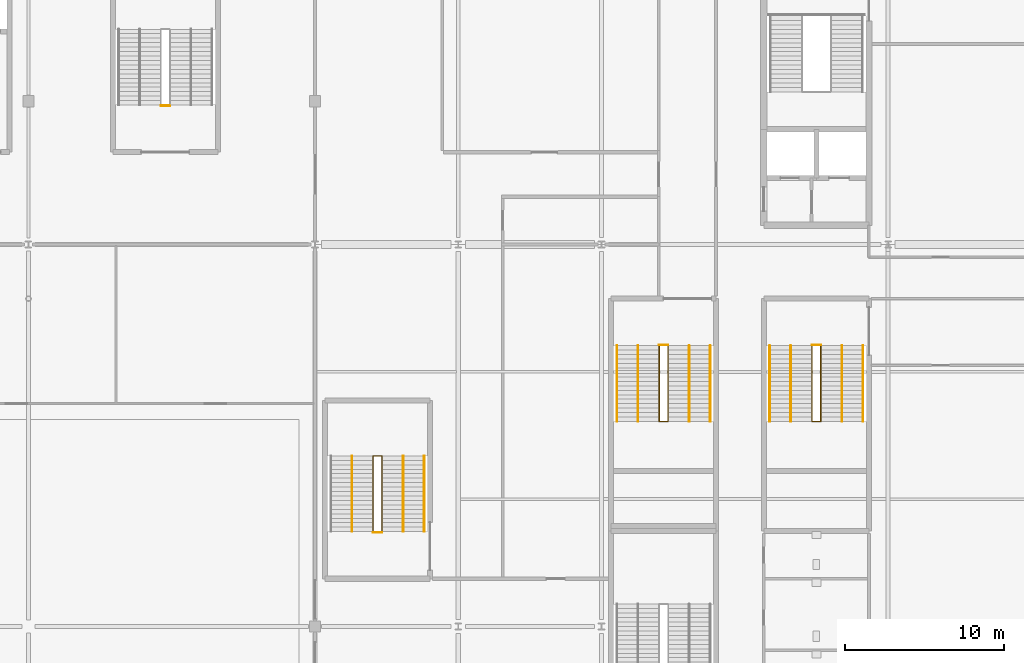
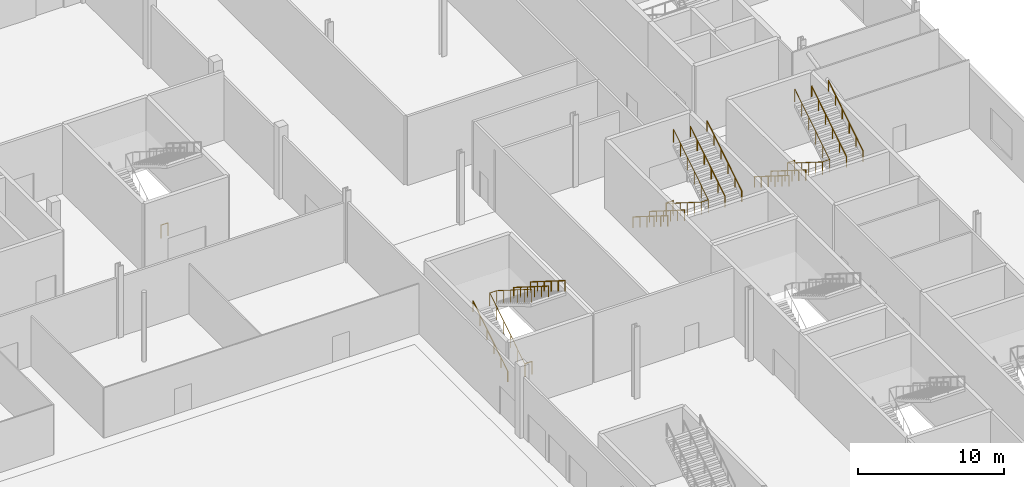
# One storey, part 80 of 84: 18 railings.
"""IFC4 building model written with IfcOpenShell, lengths in metres."""

from ifc_helpers import new_model, si_unit, direction, frame, origin, origin_2d, place, context, subcontext, project, spatial, circle, extrude, material, type_object, element, save


model = new_model("IFC4")

# Units and contexts
model_context = context("Model", 3, precision=1e-05, world=origin(), true_north=direction((0.0, 1.0)))
body_context = subcontext(model_context, "Body", "Model", "MODEL_VIEW")
ifc_project = project(units=[si_unit("LENGTHUNIT", "METRE"), si_unit("AREAUNIT", "SQUARE_METRE"), si_unit("VOLUMEUNIT", "CUBIC_METRE"), si_unit("PLANEANGLEUNIT", "RADIAN"), si_unit("MASSUNIT", "GRAM", prefix="KILO")], contexts=[model_context])

# Site, building, storey
site_placement = place(None, origin())
site = spatial("IfcSite", under=ifc_project, at=site_placement, CompositionType="ELEMENT")
building_placement = place(site_placement, origin())
building = spatial("IfcBuilding", under=site, at=building_placement, Name="Kisiwana Market Hall", CompositionType="ELEMENT")
storey_placement = place(building_placement, origin())
storey = spatial("IfcBuildingStorey", under=building, at=storey_placement, Name="L00", CompositionType="ELEMENT", Elevation=0.0)

# Railings
ifc_material_1 = material(Name="Steel S275", Category="steel")
railing_type_1 = type_object("IfcRailingType", Name="RL-GUARD-1100", PredefinedType="GUARDRAIL", material=ifc_material_1)
railing_1_placement = place(storey_placement, frame((184.219970703125, 77.639892578125, 0.0)))
element("IfcRailing", 1, at=railing_1_placement, inside=storey, type_object=railing_type_1, Name="Stair ST-E4-L00 inner-well guardrail (RL-197)", PredefinedType="GUARDRAIL", context=body_context, shape_type="SweptSolid", body=[
    extrude(circle(Radius=0.02392578125, at=origin_2d()), frame((0.0, 0.0, 1.076171875), z_axis=(0.0, -0.845995810448, 0.533189542944), x_axis=(1.0, 0.0, 0.0)), (0.0, 0.0, 1.0), 5.62646484375),
    extrude(circle(Radius=0.02392578125, at=origin_2d()), frame((0.0, -4.760009765625, 4.076171875), z_axis=(1.0, 0.0, 0.0), x_axis=(0.0, 1.0, 0.0)), (0.0, 0.0, 1.0), 0.56005859375),
    extrude(circle(Radius=0.02392578125, at=origin_2d()), frame((0.56005859375, -4.760009765625, 4.076171875), z_axis=(0.0, 0.845995810448, 0.533189542944), x_axis=(-1.0, 0.0, 0.0)), (0.0, 0.0, 1.0), 5.62646484375),
    extrude(circle(Radius=0.02099609375, at=origin_2d()), origin(), (0.0, 0.0, 1.0), 1.052001953125),
    extrude(circle(Radius=0.02099609375, at=origin_2d()), frame((0.0, -0.951904296875, 0.60009765625)), (0.0, 0.0, 1.0), 1.052001953125),
    extrude(circle(Radius=0.02099609375, at=origin_2d()), frame((0.0, -1.904052734375, 1.199951171875)), (0.0, 0.0, 1.0), 1.052001953125),
    extrude(circle(Radius=0.02099609375, at=origin_2d()), frame((0.0, -2.85595703125, 1.800048828125)), (0.0, 0.0, 1.0), 1.052001953125),
    extrude(circle(Radius=0.02099609375, at=origin_2d()), frame((0.0, -3.80810546875, 2.39990234375)), (0.0, 0.0, 1.0), 1.052001953125),
    extrude(circle(Radius=0.02099609375, at=origin_2d()), frame((0.0, -4.760009765625, 3.0)), (0.0, 0.0, 1.0), 1.052001953125),
    extrude(circle(Radius=0.02099609375, at=origin_2d()), frame((0.56005859375, -4.760009765625, 3.0)), (0.0, 0.0, 1.0), 1.052001953125),
    extrude(circle(Radius=0.02099609375, at=origin_2d()), frame((0.56005859375, -3.80810546875, 3.60009765625)), (0.0, 0.0, 1.0), 1.052001953125),
    extrude(circle(Radius=0.02099609375, at=origin_2d()), frame((0.56005859375, -2.85595703125, 4.199951171875)), (0.0, 0.0, 1.0), 1.052001953125),
    extrude(circle(Radius=0.02099609375, at=origin_2d()), frame((0.56005859375, -1.904052734375, 4.800048828125)), (0.0, 0.0, 1.0), 1.052001953125),
    extrude(circle(Radius=0.02099609375, at=origin_2d()), frame((0.56005859375, -0.951904296875, 5.39990234375)), (0.0, 0.0, 1.0), 1.052001953125),
    extrude(circle(Radius=0.02099609375, at=origin_2d()), frame((0.56005859375, 0.0, 6.0)), (0.0, 0.0, 1.0), 1.052001953125),
])
railing_2_placement = place(storey_placement, frame((184.219970703125, 77.68994140625, 0.0)))
element("IfcRailing", 2, at=railing_2_placement, inside=storey, type_object=railing_type_1, Name="Stair ST-E4-L00 landing edge guardrail (RL-202)", PredefinedType="GUARDRAIL", context=body_context, shape_type="SweptSolid", body=[
    extrude(circle(Radius=0.02392578125, at=origin_2d()), frame((0.0, 0.0, 1.076171875), z_axis=(1.0, 0.0, 0.0), x_axis=(0.0, 1.0, 0.0)), (0.0, 0.0, 1.0), 0.56005859375),
    extrude(circle(Radius=0.02099609375, at=origin_2d()), origin(), (0.0, 0.0, 1.0), 1.052001953125),
    extrude(circle(Radius=0.02099609375, at=origin_2d()), frame((0.56005859375, 0.0, 0.0)), (0.0, 0.0, 1.0), 1.052001953125),
])
railing_3_placement = place(storey_placement, frame((174.6201171875, 77.639892578125, 0.0)))
element("IfcRailing", 3, at=railing_3_placement, inside=storey, type_object=railing_type_1, Name="Stair ST-E8-L00 inner-well guardrail (RL-221)", PredefinedType="GUARDRAIL", context=body_context, shape_type="SweptSolid", body=[
    extrude(circle(Radius=0.02392578125, at=origin_2d()), frame((0.0, 0.0, 1.076171875), z_axis=(0.0, -0.845995810448, 0.533189542944), x_axis=(1.0, 0.0, 0.0)), (0.0, 0.0, 1.0), 5.62646484375),
    extrude(circle(Radius=0.02392578125, at=origin_2d()), frame((0.0, -4.760009765625, 4.076171875), z_axis=(1.0, 0.0, 0.0), x_axis=(0.0, 1.0, 0.0)), (0.0, 0.0, 1.0), 0.559814453125),
    extrude(circle(Radius=0.02392578125, at=origin_2d()), frame((0.559814453125, -4.760009765625, 4.076171875), z_axis=(0.0, 0.845995810448, 0.533189542944), x_axis=(-1.0, 0.0, 0.0)), (0.0, 0.0, 1.0), 5.62646484375),
    extrude(circle(Radius=0.02099609375, at=origin_2d()), origin(), (0.0, 0.0, 1.0), 1.052001953125),
    extrude(circle(Radius=0.02099609375, at=origin_2d()), frame((0.0, -0.951904296875, 0.60009765625)), (0.0, 0.0, 1.0), 1.052001953125),
    extrude(circle(Radius=0.02099609375, at=origin_2d()), frame((0.0, -1.904052734375, 1.199951171875)), (0.0, 0.0, 1.0), 1.052001953125),
    extrude(circle(Radius=0.02099609375, at=origin_2d()), frame((0.0, -2.85595703125, 1.800048828125)), (0.0, 0.0, 1.0), 1.052001953125),
    extrude(circle(Radius=0.02099609375, at=origin_2d()), frame((0.0, -3.80810546875, 2.39990234375)), (0.0, 0.0, 1.0), 1.052001953125),
    extrude(circle(Radius=0.02099609375, at=origin_2d()), frame((0.0, -4.760009765625, 3.0)), (0.0, 0.0, 1.0), 1.052001953125),
    extrude(circle(Radius=0.02099609375, at=origin_2d()), frame((0.559814453125, -4.760009765625, 3.0)), (0.0, 0.0, 1.0), 1.052001953125),
    extrude(circle(Radius=0.02099609375, at=origin_2d()), frame((0.559814453125, -3.80810546875, 3.60009765625)), (0.0, 0.0, 1.0), 1.052001953125),
    extrude(circle(Radius=0.02099609375, at=origin_2d()), frame((0.559814453125, -2.85595703125, 4.199951171875)), (0.0, 0.0, 1.0), 1.052001953125),
    extrude(circle(Radius=0.02099609375, at=origin_2d()), frame((0.559814453125, -1.904052734375, 4.800048828125)), (0.0, 0.0, 1.0), 1.052001953125),
    extrude(circle(Radius=0.02099609375, at=origin_2d()), frame((0.559814453125, -0.951904296875, 5.39990234375)), (0.0, 0.0, 1.0), 1.052001953125),
    extrude(circle(Radius=0.02099609375, at=origin_2d()), frame((0.559814453125, 0.0, 6.0)), (0.0, 0.0, 1.0), 1.052001953125),
])
railing_4_placement = place(storey_placement, frame((174.6201171875, 77.68994140625, 0.0)))
element("IfcRailing", 4, at=railing_4_placement, inside=storey, type_object=railing_type_1, Name="Stair ST-E8-L00 landing edge guardrail (RL-226)", PredefinedType="GUARDRAIL", context=body_context, shape_type="SweptSolid", body=[
    extrude(circle(Radius=0.02392578125, at=origin_2d()), frame((0.0, 0.0, 1.076171875), z_axis=(1.0, 0.0, 0.0), x_axis=(0.0, 1.0, 0.0)), (0.0, 0.0, 1.0), 0.559814453125),
    extrude(circle(Radius=0.02099609375, at=origin_2d()), origin(), (0.0, 0.0, 1.0), 1.052001953125),
    extrude(circle(Radius=0.02099609375, at=origin_2d()), frame((0.559814453125, 0.0, 0.0)), (0.0, 0.0, 1.0), 1.052001953125),
])
railing_5_placement = place(storey_placement, frame((156.64990234375, 65.9599609375, 0.0)))
element("IfcRailing", 5, at=railing_5_placement, inside=storey, type_object=railing_type_1, Name="Stair ST-E10-L00 inner-well guardrail (RL-245)", PredefinedType="GUARDRAIL", context=body_context, shape_type="SweptSolid", body=[
    extrude(circle(Radius=0.02392578125, at=origin_2d()), frame((0.0, 0.0, 1.076171875), z_axis=(0.0, 0.845995810448, 0.533189542944), x_axis=(-1.0, 0.0, 0.0)), (0.0, 0.0, 1.0), 5.62646484375),
    extrude(circle(Radius=0.02392578125, at=origin_2d()), frame((0.0, 4.760009765625, 4.076171875), z_axis=(1.0, 0.0, 0.0), x_axis=(0.0, 1.0, 0.0)), (0.0, 0.0, 1.0), 0.56005859375),
    extrude(circle(Radius=0.02392578125, at=origin_2d()), frame((0.56005859375, 4.760009765625, 4.076171875), z_axis=(0.0, -0.845995810448, 0.533189542944), x_axis=(1.0, 0.0, 0.0)), (0.0, 0.0, 1.0), 5.62646484375),
    extrude(circle(Radius=0.02099609375, at=origin_2d()), origin(), (0.0, 0.0, 1.0), 1.052001953125),
    extrude(circle(Radius=0.02099609375, at=origin_2d()), frame((0.0, 0.951904296875, 0.60009765625)), (0.0, 0.0, 1.0), 1.052001953125),
    extrude(circle(Radius=0.02099609375, at=origin_2d()), frame((0.0, 1.904052734375, 1.199951171875)), (0.0, 0.0, 1.0), 1.052001953125),
    extrude(circle(Radius=0.02099609375, at=origin_2d()), frame((0.0, 2.85595703125, 1.800048828125)), (0.0, 0.0, 1.0), 1.052001953125),
    extrude(circle(Radius=0.02099609375, at=origin_2d()), frame((0.0, 3.80810546875, 2.39990234375)), (0.0, 0.0, 1.0), 1.052001953125),
    extrude(circle(Radius=0.02099609375, at=origin_2d()), frame((0.0, 4.760009765625, 3.0)), (0.0, 0.0, 1.0), 1.052001953125),
    extrude(circle(Radius=0.02099609375, at=origin_2d()), frame((0.56005859375, 4.760009765625, 3.0)), (0.0, 0.0, 1.0), 1.052001953125),
    extrude(circle(Radius=0.02099609375, at=origin_2d()), frame((0.56005859375, 3.80810546875, 3.60009765625)), (0.0, 0.0, 1.0), 1.052001953125),
    extrude(circle(Radius=0.02099609375, at=origin_2d()), frame((0.56005859375, 2.85595703125, 4.199951171875)), (0.0, 0.0, 1.0), 1.052001953125),
    extrude(circle(Radius=0.02099609375, at=origin_2d()), frame((0.56005859375, 1.904052734375, 4.800048828125)), (0.0, 0.0, 1.0), 1.052001953125),
    extrude(circle(Radius=0.02099609375, at=origin_2d()), frame((0.56005859375, 0.951904296875, 5.39990234375)), (0.0, 0.0, 1.0), 1.052001953125),
    extrude(circle(Radius=0.02099609375, at=origin_2d()), frame((0.56005859375, 0.0, 6.0)), (0.0, 0.0, 1.0), 1.052001953125),
])
railing_6_placement = place(storey_placement, frame((156.64990234375, 65.909912109375, 0.0)))
element("IfcRailing", 6, at=railing_6_placement, inside=storey, type_object=railing_type_1, Name="Stair ST-E10-L00 landing edge guardrail (RL-250)", PredefinedType="GUARDRAIL", context=body_context, shape_type="SweptSolid", body=[
    extrude(circle(Radius=0.02392578125, at=origin_2d()), frame((0.0, 0.0, 1.076171875), z_axis=(1.0, 0.0, 0.0), x_axis=(0.0, 1.0, 0.0)), (0.0, 0.0, 1.0), 0.56005859375),
    extrude(circle(Radius=0.02099609375, at=origin_2d()), origin(), (0.0, 0.0, 1.0), 1.052001953125),
    extrude(circle(Radius=0.02099609375, at=origin_2d()), frame((0.56005859375, 0.0, 0.0)), (0.0, 0.0, 1.0), 1.052001953125),
])
railing_7_placement = place(storey_placement, frame((143.320068359375, 92.7099609375, 0.0)))
element("IfcRailing", 7, at=railing_7_placement, inside=storey, type_object=railing_type_1, Name="Stair ST-N6-L00 landing edge guardrail (RL-310)", PredefinedType="GUARDRAIL", context=body_context, shape_type="SweptSolid", body=[
    extrude(circle(Radius=0.02392578125, at=origin_2d()), frame((0.0, 0.0, 1.076171875), z_axis=(1.0, 0.0, 0.0), x_axis=(0.0, 1.0, 0.0)), (0.0, 0.0, 1.0), 0.559814453125),
    extrude(circle(Radius=0.02099609375, at=origin_2d()), origin(), (0.0, 0.0, 1.0), 1.052001953125),
    extrude(circle(Radius=0.02099609375, at=origin_2d()), frame((0.559814453125, 0.0, 0.0)), (0.0, 0.0, 1.0), 1.052001953125),
])
ifc_material_2 = material(Name="Steel S275", Category="steel")
railing_type_2 = type_object("IfcRailingType", Name="RL-HAND-900", PredefinedType="HANDRAIL", material=ifc_material_2)
railing_8_placement = place(storey_placement, frame((181.570068359375, 77.639892578125, 0.0)))
element("IfcRailing", 8, at=railing_8_placement, inside=storey, type_object=railing_type_2, Name="Stair ST-E4-L00 flight 1 handrail (RL-198)", PredefinedType="HANDRAIL", context=body_context, shape_type="SweptSolid", body=[
    extrude(circle(Radius=0.02392578125, at=origin_2d()), frame((0.0, 0.0, 0.8759765625), z_axis=(0.0, -0.845995810448, 0.533189542944), x_axis=(1.0, 0.0, 0.0)), (0.0, 0.0, 1.0), 5.62646484375),
    extrude(circle(Radius=0.02099609375, at=origin_2d()), origin(), (0.0, 0.0, 1.0), 0.851806640625),
    extrude(circle(Radius=0.02099609375, at=origin_2d()), frame((0.0, -0.951904296875, 0.60009765625)), (0.0, 0.0, 1.0), 0.851806640625),
    extrude(circle(Radius=0.02099609375, at=origin_2d()), frame((0.0, -1.904052734375, 1.199951171875)), (0.0, 0.0, 1.0), 0.851806640625),
    extrude(circle(Radius=0.02099609375, at=origin_2d()), frame((0.0, -2.85595703125, 1.800048828125)), (0.0, 0.0, 1.0), 0.851806640625),
    extrude(circle(Radius=0.02099609375, at=origin_2d()), frame((0.0, -3.80810546875, 2.39990234375)), (0.0, 0.0, 1.0), 0.851806640625),
    extrude(circle(Radius=0.02099609375, at=origin_2d()), frame((0.0, -4.760009765625, 3.0)), (0.0, 0.0, 1.0), 0.851806640625),
])
railing_9_placement = place(storey_placement, frame((187.429931640625, 72.8798828125, 3.0)))
element("IfcRailing", 9, at=railing_9_placement, inside=storey, type_object=railing_type_2, Name="Stair ST-E4-L00 flight 2 handrail (RL-199)", PredefinedType="HANDRAIL", context=body_context, shape_type="SweptSolid", body=[
    extrude(circle(Radius=0.02392578125, at=origin_2d()), frame((0.0, 0.0, 0.8759765625), z_axis=(0.0, 0.845995810448, 0.533189542944), x_axis=(-1.0, 0.0, 0.0)), (0.0, 0.0, 1.0), 5.62646484375),
    extrude(circle(Radius=0.02099609375, at=origin_2d()), origin(), (0.0, 0.0, 1.0), 0.851806640625),
    extrude(circle(Radius=0.02099609375, at=origin_2d()), frame((0.0, 0.951904296875, 0.60009765625)), (0.0, 0.0, 1.0), 0.851806640625),
    extrude(circle(Radius=0.02099609375, at=origin_2d()), frame((0.0, 1.904052734375, 1.199951171875)), (0.0, 0.0, 1.0), 0.851806640625),
    extrude(circle(Radius=0.02099609375, at=origin_2d()), frame((0.0, 2.85595703125, 1.800048828125)), (0.0, 0.0, 1.0), 0.851806640625),
    extrude(circle(Radius=0.02099609375, at=origin_2d()), frame((0.0, 3.80810546875, 2.39990234375)), (0.0, 0.0, 1.0), 0.851806640625),
    extrude(circle(Radius=0.02099609375, at=origin_2d()), frame((0.0, 4.760009765625, 3.0)), (0.0, 0.0, 1.0), 0.851806640625),
])
railing_10_placement = place(storey_placement, frame((182.889892578125, 77.639892578125, 0.0)))
element("IfcRailing", 10, at=railing_10_placement, inside=storey, type_object=railing_type_2, Name="Stair ST-E4-L00 flight 1 intermediate handrail (RL-200)", PredefinedType="HANDRAIL", context=body_context, shape_type="SweptSolid", body=[
    extrude(circle(Radius=0.02392578125, at=origin_2d()), frame((0.0, 0.0, 0.8759765625), z_axis=(0.0, -0.845995810448, 0.533189542944), x_axis=(1.0, 0.0, 0.0)), (0.0, 0.0, 1.0), 5.62646484375),
    extrude(circle(Radius=0.02099609375, at=origin_2d()), origin(), (0.0, 0.0, 1.0), 0.851806640625),
    extrude(circle(Radius=0.02099609375, at=origin_2d()), frame((0.0, -0.951904296875, 0.60009765625)), (0.0, 0.0, 1.0), 0.851806640625),
    extrude(circle(Radius=0.02099609375, at=origin_2d()), frame((0.0, -1.904052734375, 1.199951171875)), (0.0, 0.0, 1.0), 0.851806640625),
    extrude(circle(Radius=0.02099609375, at=origin_2d()), frame((0.0, -2.85595703125, 1.800048828125)), (0.0, 0.0, 1.0), 0.851806640625),
    extrude(circle(Radius=0.02099609375, at=origin_2d()), frame((0.0, -3.80810546875, 2.39990234375)), (0.0, 0.0, 1.0), 0.851806640625),
    extrude(circle(Radius=0.02099609375, at=origin_2d()), frame((0.0, -4.760009765625, 3.0)), (0.0, 0.0, 1.0), 0.851806640625),
])
railing_11_placement = place(storey_placement, frame((186.110107421875, 72.8798828125, 3.0)))
element("IfcRailing", 11, at=railing_11_placement, inside=storey, type_object=railing_type_2, Name="Stair ST-E4-L00 flight 2 intermediate handrail (RL-201)", PredefinedType="HANDRAIL", context=body_context, shape_type="SweptSolid", body=[
    extrude(circle(Radius=0.02392578125, at=origin_2d()), frame((0.0, 0.0, 0.8759765625), z_axis=(0.0, 0.845995810448, 0.533189542944), x_axis=(-1.0, 0.0, 0.0)), (0.0, 0.0, 1.0), 5.62646484375),
    extrude(circle(Radius=0.02099609375, at=origin_2d()), origin(), (0.0, 0.0, 1.0), 0.851806640625),
    extrude(circle(Radius=0.02099609375, at=origin_2d()), frame((0.0, 0.951904296875, 0.60009765625)), (0.0, 0.0, 1.0), 0.851806640625),
    extrude(circle(Radius=0.02099609375, at=origin_2d()), frame((0.0, 1.904052734375, 1.199951171875)), (0.0, 0.0, 1.0), 0.851806640625),
    extrude(circle(Radius=0.02099609375, at=origin_2d()), frame((0.0, 2.85595703125, 1.800048828125)), (0.0, 0.0, 1.0), 0.851806640625),
    extrude(circle(Radius=0.02099609375, at=origin_2d()), frame((0.0, 3.80810546875, 2.39990234375)), (0.0, 0.0, 1.0), 0.851806640625),
    extrude(circle(Radius=0.02099609375, at=origin_2d()), frame((0.0, 4.760009765625, 3.0)), (0.0, 0.0, 1.0), 0.851806640625),
])
railing_12_placement = place(storey_placement, frame((171.969970703125, 77.639892578125, 0.0)))
element("IfcRailing", 12, at=railing_12_placement, inside=storey, type_object=railing_type_2, Name="Stair ST-E8-L00 flight 1 handrail (RL-222)", PredefinedType="HANDRAIL", context=body_context, shape_type="SweptSolid", body=[
    extrude(circle(Radius=0.02392578125, at=origin_2d()), frame((0.0, 0.0, 0.8759765625), z_axis=(0.0, -0.845995810448, 0.533189542944), x_axis=(1.0, 0.0, 0.0)), (0.0, 0.0, 1.0), 5.62646484375),
    extrude(circle(Radius=0.02099609375, at=origin_2d()), origin(), (0.0, 0.0, 1.0), 0.851806640625),
    extrude(circle(Radius=0.02099609375, at=origin_2d()), frame((0.0, -0.951904296875, 0.60009765625)), (0.0, 0.0, 1.0), 0.851806640625),
    extrude(circle(Radius=0.02099609375, at=origin_2d()), frame((0.0, -1.904052734375, 1.199951171875)), (0.0, 0.0, 1.0), 0.851806640625),
    extrude(circle(Radius=0.02099609375, at=origin_2d()), frame((0.0, -2.85595703125, 1.800048828125)), (0.0, 0.0, 1.0), 0.851806640625),
    extrude(circle(Radius=0.02099609375, at=origin_2d()), frame((0.0, -3.80810546875, 2.39990234375)), (0.0, 0.0, 1.0), 0.851806640625),
    extrude(circle(Radius=0.02099609375, at=origin_2d()), frame((0.0, -4.760009765625, 3.0)), (0.0, 0.0, 1.0), 0.851806640625),
])
railing_13_placement = place(storey_placement, frame((177.830078125, 72.8798828125, 3.0)))
element("IfcRailing", 13, at=railing_13_placement, inside=storey, type_object=railing_type_2, Name="Stair ST-E8-L00 flight 2 handrail (RL-223)", PredefinedType="HANDRAIL", context=body_context, shape_type="SweptSolid", body=[
    extrude(circle(Radius=0.02392578125, at=origin_2d()), frame((0.0, 0.0, 0.8759765625), z_axis=(0.0, 0.845995810448, 0.533189542944), x_axis=(-1.0, 0.0, 0.0)), (0.0, 0.0, 1.0), 5.62646484375),
    extrude(circle(Radius=0.02099609375, at=origin_2d()), origin(), (0.0, 0.0, 1.0), 0.851806640625),
    extrude(circle(Radius=0.02099609375, at=origin_2d()), frame((0.0, 0.951904296875, 0.60009765625)), (0.0, 0.0, 1.0), 0.851806640625),
    extrude(circle(Radius=0.02099609375, at=origin_2d()), frame((0.0, 1.904052734375, 1.199951171875)), (0.0, 0.0, 1.0), 0.851806640625),
    extrude(circle(Radius=0.02099609375, at=origin_2d()), frame((0.0, 2.85595703125, 1.800048828125)), (0.0, 0.0, 1.0), 0.851806640625),
    extrude(circle(Radius=0.02099609375, at=origin_2d()), frame((0.0, 3.80810546875, 2.39990234375)), (0.0, 0.0, 1.0), 0.851806640625),
    extrude(circle(Radius=0.02099609375, at=origin_2d()), frame((0.0, 4.760009765625, 3.0)), (0.0, 0.0, 1.0), 0.851806640625),
])
railing_14_placement = place(storey_placement, frame((173.2900390625, 77.639892578125, 0.0)))
element("IfcRailing", 14, at=railing_14_placement, inside=storey, type_object=railing_type_2, Name="Stair ST-E8-L00 flight 1 intermediate handrail (RL-224)", PredefinedType="HANDRAIL", context=body_context, shape_type="SweptSolid", body=[
    extrude(circle(Radius=0.02392578125, at=origin_2d()), frame((0.0, 0.0, 0.8759765625), z_axis=(0.0, -0.845995810448, 0.533189542944), x_axis=(1.0, 0.0, 0.0)), (0.0, 0.0, 1.0), 5.62646484375),
    extrude(circle(Radius=0.02099609375, at=origin_2d()), origin(), (0.0, 0.0, 1.0), 0.851806640625),
    extrude(circle(Radius=0.02099609375, at=origin_2d()), frame((0.0, -0.951904296875, 0.60009765625)), (0.0, 0.0, 1.0), 0.851806640625),
    extrude(circle(Radius=0.02099609375, at=origin_2d()), frame((0.0, -1.904052734375, 1.199951171875)), (0.0, 0.0, 1.0), 0.851806640625),
    extrude(circle(Radius=0.02099609375, at=origin_2d()), frame((0.0, -2.85595703125, 1.800048828125)), (0.0, 0.0, 1.0), 0.851806640625),
    extrude(circle(Radius=0.02099609375, at=origin_2d()), frame((0.0, -3.80810546875, 2.39990234375)), (0.0, 0.0, 1.0), 0.851806640625),
    extrude(circle(Radius=0.02099609375, at=origin_2d()), frame((0.0, -4.760009765625, 3.0)), (0.0, 0.0, 1.0), 0.851806640625),
])
railing_15_placement = place(storey_placement, frame((176.510009765625, 72.8798828125, 3.0)))
element("IfcRailing", 15, at=railing_15_placement, inside=storey, type_object=railing_type_2, Name="Stair ST-E8-L00 flight 2 intermediate handrail (RL-225)", PredefinedType="HANDRAIL", context=body_context, shape_type="SweptSolid", body=[
    extrude(circle(Radius=0.02392578125, at=origin_2d()), frame((0.0, 0.0, 0.8759765625), z_axis=(0.0, 0.845995810448, 0.533189542944), x_axis=(-1.0, 0.0, 0.0)), (0.0, 0.0, 1.0), 5.62646484375),
    extrude(circle(Radius=0.02099609375, at=origin_2d()), origin(), (0.0, 0.0, 1.0), 0.851806640625),
    extrude(circle(Radius=0.02099609375, at=origin_2d()), frame((0.0, 0.951904296875, 0.60009765625)), (0.0, 0.0, 1.0), 0.851806640625),
    extrude(circle(Radius=0.02099609375, at=origin_2d()), frame((0.0, 1.904052734375, 1.199951171875)), (0.0, 0.0, 1.0), 0.851806640625),
    extrude(circle(Radius=0.02099609375, at=origin_2d()), frame((0.0, 2.85595703125, 1.800048828125)), (0.0, 0.0, 1.0), 0.851806640625),
    extrude(circle(Radius=0.02099609375, at=origin_2d()), frame((0.0, 3.80810546875, 2.39990234375)), (0.0, 0.0, 1.0), 0.851806640625),
    extrude(circle(Radius=0.02099609375, at=origin_2d()), frame((0.0, 4.760009765625, 3.0)), (0.0, 0.0, 1.0), 0.851806640625),
])
railing_16_placement = place(storey_placement, frame((159.860107421875, 70.719970703125, 3.0)))
element("IfcRailing", 16, at=railing_16_placement, inside=storey, type_object=railing_type_2, Name="Stair ST-E10-L00 flight 2 handrail (RL-247)", PredefinedType="HANDRAIL", context=body_context, shape_type="SweptSolid", body=[
    extrude(circle(Radius=0.02392578125, at=origin_2d()), frame((0.0, 0.0, 0.8759765625), z_axis=(0.0, -0.845995810448, 0.533189542944), x_axis=(1.0, 0.0, 0.0)), (0.0, 0.0, 1.0), 5.62646484375),
    extrude(circle(Radius=0.02099609375, at=origin_2d()), origin(), (0.0, 0.0, 1.0), 0.851806640625),
    extrude(circle(Radius=0.02099609375, at=origin_2d()), frame((0.0, -0.951904296875, 0.60009765625)), (0.0, 0.0, 1.0), 0.851806640625),
    extrude(circle(Radius=0.02099609375, at=origin_2d()), frame((0.0, -1.904052734375, 1.199951171875)), (0.0, 0.0, 1.0), 0.851806640625),
    extrude(circle(Radius=0.02099609375, at=origin_2d()), frame((0.0, -2.85595703125, 1.800048828125)), (0.0, 0.0, 1.0), 0.851806640625),
    extrude(circle(Radius=0.02099609375, at=origin_2d()), frame((0.0, -3.80810546875, 2.39990234375)), (0.0, 0.0, 1.0), 0.851806640625),
    extrude(circle(Radius=0.02099609375, at=origin_2d()), frame((0.0, -4.760009765625, 3.0)), (0.0, 0.0, 1.0), 0.851806640625),
])
railing_17_placement = place(storey_placement, frame((155.320068359375, 65.9599609375, 0.0)))
element("IfcRailing", 17, at=railing_17_placement, inside=storey, type_object=railing_type_2, Name="Stair ST-E10-L00 flight 1 intermediate handrail (RL-248)", PredefinedType="HANDRAIL", context=body_context, shape_type="SweptSolid", body=[
    extrude(circle(Radius=0.02392578125, at=origin_2d()), frame((0.0, 0.0, 0.8759765625), z_axis=(0.0, 0.845995810448, 0.533189542944), x_axis=(-1.0, 0.0, 0.0)), (0.0, 0.0, 1.0), 5.62646484375),
    extrude(circle(Radius=0.02099609375, at=origin_2d()), origin(), (0.0, 0.0, 1.0), 0.851806640625),
    extrude(circle(Radius=0.02099609375, at=origin_2d()), frame((0.0, 0.951904296875, 0.60009765625)), (0.0, 0.0, 1.0), 0.851806640625),
    extrude(circle(Radius=0.02099609375, at=origin_2d()), frame((0.0, 1.904052734375, 1.199951171875)), (0.0, 0.0, 1.0), 0.851806640625),
    extrude(circle(Radius=0.02099609375, at=origin_2d()), frame((0.0, 2.85595703125, 1.800048828125)), (0.0, 0.0, 1.0), 0.851806640625),
    extrude(circle(Radius=0.02099609375, at=origin_2d()), frame((0.0, 3.80810546875, 2.39990234375)), (0.0, 0.0, 1.0), 0.851806640625),
    extrude(circle(Radius=0.02099609375, at=origin_2d()), frame((0.0, 4.760009765625, 3.0)), (0.0, 0.0, 1.0), 0.851806640625),
])
railing_18_placement = place(storey_placement, frame((158.5400390625, 70.719970703125, 3.0)))
element("IfcRailing", 18, at=railing_18_placement, inside=storey, type_object=railing_type_2, Name="Stair ST-E10-L00 flight 2 intermediate handrail (RL-249)", PredefinedType="HANDRAIL", context=body_context, shape_type="SweptSolid", body=[
    extrude(circle(Radius=0.02392578125, at=origin_2d()), frame((0.0, 0.0, 0.8759765625), z_axis=(0.0, -0.845995810448, 0.533189542944), x_axis=(1.0, 0.0, 0.0)), (0.0, 0.0, 1.0), 5.62646484375),
    extrude(circle(Radius=0.02099609375, at=origin_2d()), origin(), (0.0, 0.0, 1.0), 0.851806640625),
    extrude(circle(Radius=0.02099609375, at=origin_2d()), frame((0.0, -0.951904296875, 0.60009765625)), (0.0, 0.0, 1.0), 0.851806640625),
    extrude(circle(Radius=0.02099609375, at=origin_2d()), frame((0.0, -1.904052734375, 1.199951171875)), (0.0, 0.0, 1.0), 0.851806640625),
    extrude(circle(Radius=0.02099609375, at=origin_2d()), frame((0.0, -2.85595703125, 1.800048828125)), (0.0, 0.0, 1.0), 0.851806640625),
    extrude(circle(Radius=0.02099609375, at=origin_2d()), frame((0.0, -3.80810546875, 2.39990234375)), (0.0, 0.0, 1.0), 0.851806640625),
    extrude(circle(Radius=0.02099609375, at=origin_2d()), frame((0.0, -4.760009765625, 3.0)), (0.0, 0.0, 1.0), 0.851806640625),
])

save(model, "model.ifc")
